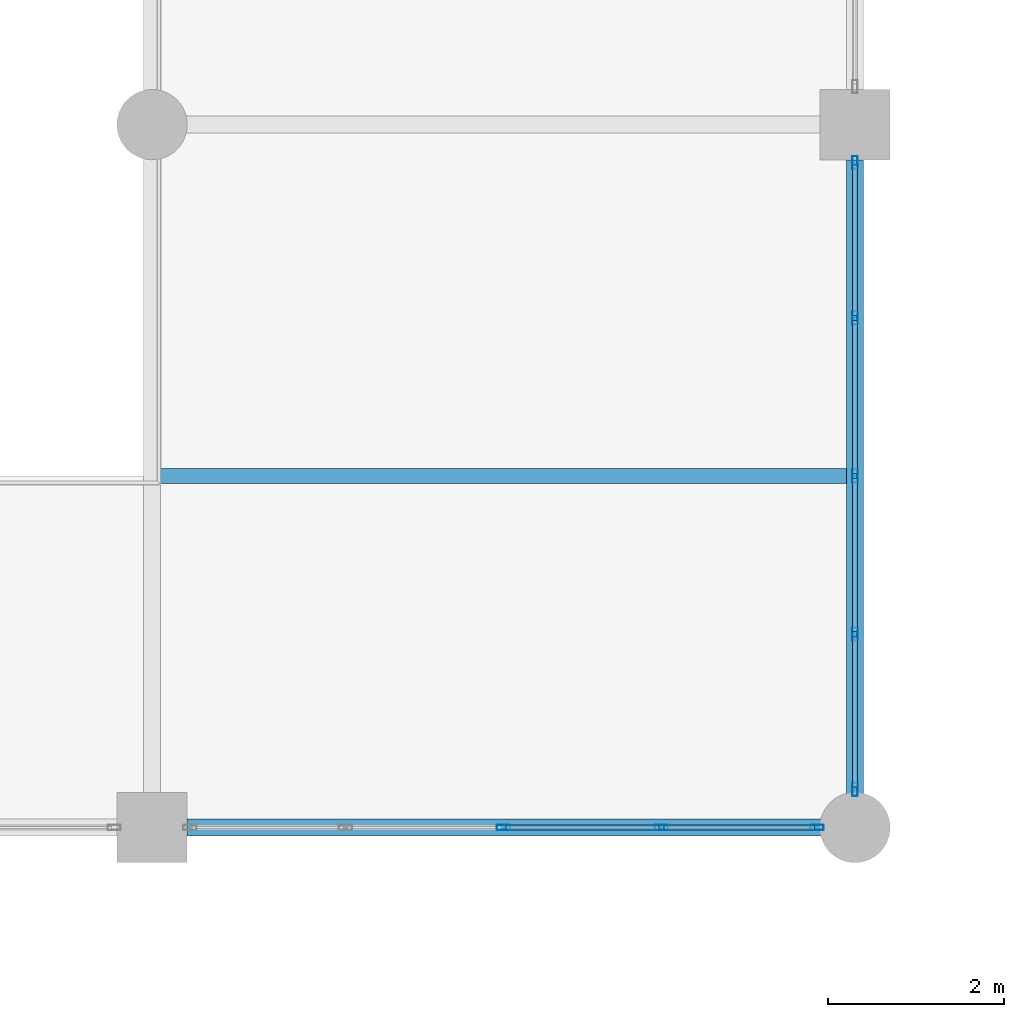
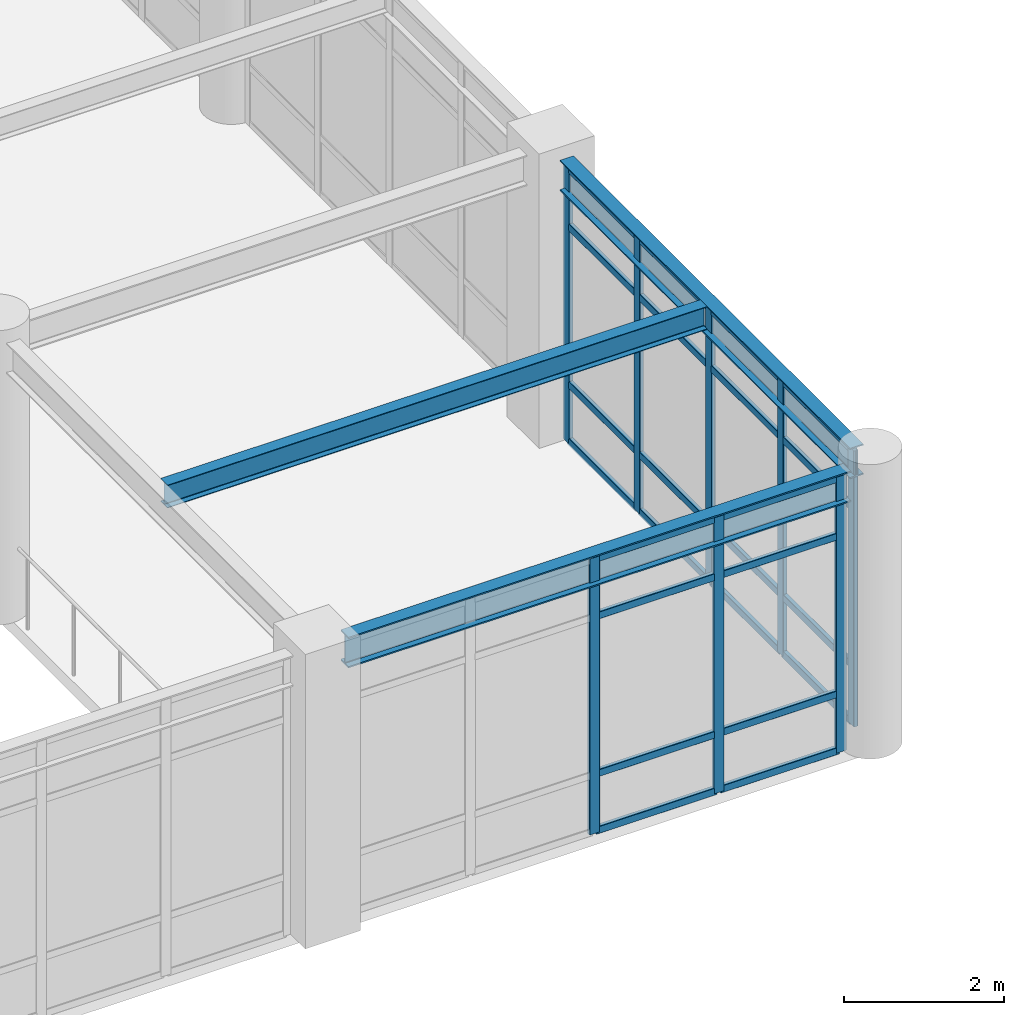
# One storey, part 32 of 78: 32 members, 3 beams, 2 elements without a shape of their own.
"""IFC4 building model written with IfcOpenShell, lengths in metres."""

import ifcopenshell
import ifcopenshell.guid

model = None  # the IFC model being written
_history = None  # IfcOwnerHistory: only IFC2X3 demands one
_inside = {}  # id of a spatial element -> (the spatial element, [elements in it])
_under = {}  # id of a project, library or spatial element -> (it, [spatial elements below it])
_declared = {}  # id of a project -> (the project, [libraries it declares])
_typed = {}  # id of a type object -> (the type object, [elements of that type])
_made_of = {}  # id of a material, layer set ... -> (it, [elements and type objects made of it])


def new_model(schema):
    """Start an empty IFC model of exactly this schema.

    Asked for "IFC4X3", IfcOpenShell would pick the latest addendum, in which some entities
    have other attributes; the version numbers below select the first issue.
    IFC2X3 requires an IfcOwnerHistory on every rooted entity: one is made here for all.
    """
    global model, _history
    if schema == "IFC4X3":
        model = ifcopenshell.file(schema_version=(4, 3, 0, 0))
    else:
        model = ifcopenshell.file(schema=schema)
    _inside.clear()
    _under.clear()
    _declared.clear()
    _typed.clear()
    _made_of.clear()
    _history = None
    if model.schema == "IFC2X3":
        org = make("IfcOrganization", Name="unknown")
        user = make(
            "IfcPersonAndOrganization",
            ThePerson=make("IfcPerson", FamilyName="unknown"),
            TheOrganization=org,
        )
        app = make(
            "IfcApplication",
            ApplicationDeveloper=org,
            Version="unknown",
            ApplicationFullName="unknown",
            ApplicationIdentifier="unknown",
        )
        _history = make(
            "IfcOwnerHistory",
            OwningUser=user,
            OwningApplication=app,
            ChangeAction="ADDED",
            CreationDate=0,
        )
    return model


def make(cls, **values):
    """One entity of the class cls with the attributes given. An attribute that is None is left unset."""
    return model.create_entity(
        cls, **{name: value for name, value in values.items() if value is not None}
    )


def rooted(cls, **values):
    """An entity with a GlobalId (a new one), such as an element, a storey or a relation."""
    return make(cls, GlobalId=ifcopenshell.guid.new(), OwnerHistory=_history, **values)


def si_unit(unit_type, name, prefix=None):
    """IfcSIUnit, for example si_unit("LENGTHUNIT", "METRE", prefix="MILLI")."""
    return make("IfcSIUnit", UnitType=unit_type, Prefix=prefix, Name=name)


def assignment(units):
    """IfcUnitAssignment: the units of a project."""
    return None if units is None else make("IfcUnitAssignment", Units=units)


def point(xyz):
    """IfcCartesianPoint."""
    return None if xyz is None else make("IfcCartesianPoint", Coordinates=xyz)


def direction(xyz):
    """IfcDirection."""
    return None if xyz is None else make("IfcDirection", DirectionRatios=xyz)


def frame(location, z_axis=None, x_axis=None):
    """IfcAxis2Placement3D, a coordinate frame: its origin and axes. An axis left out is left unset."""
    return make(
        "IfcAxis2Placement3D",
        Location=point(location),
        Axis=direction(z_axis),
        RefDirection=direction(x_axis),
    )


def frame_2d(location, x_axis=None):
    """IfcAxis2Placement2D, a coordinate frame in the plane: its origin and x axis."""
    return make(
        "IfcAxis2Placement2D", Location=point(location), RefDirection=direction(x_axis)
    )


def origin():
    """The frame at (0, 0, 0) with its axes left unset."""
    return frame((0.0, 0.0, 0.0))


def origin_2d():
    """The frame at (0, 0) in the plane with its x axis left unset."""
    return frame_2d((0.0, 0.0))


def place(relative_to, where):
    """IfcLocalPlacement: puts the frame where relative to a parent placement (None: the world)."""
    return make(
        "IfcLocalPlacement", PlacementRelTo=relative_to, RelativePlacement=where
    )


def context(
    kind, dimensions, precision=None, world=None, true_north=None, identifier=None
):
    """IfcGeometricRepresentationContext, for example the 3D "Model" context."""
    return make(
        "IfcGeometricRepresentationContext",
        ContextIdentifier=identifier,
        ContextType=kind,
        CoordinateSpaceDimension=dimensions,
        Precision=precision,
        WorldCoordinateSystem=world,
        TrueNorth=true_north,
    )


def subcontext(parent, identifier, kind, view, scale=None):
    """IfcGeometricRepresentationSubContext, for example "Body" below "Model"."""
    return make(
        "IfcGeometricRepresentationSubContext",
        ContextIdentifier=identifier,
        ContextType=kind,
        ParentContext=parent,
        TargetScale=scale,
        TargetView=view,
    )


def project(units=None, contexts=None):
    """IfcProject with its units and contexts."""
    return rooted(
        "IfcProject",
        Name="project",
        RepresentationContexts=contexts,
        UnitsInContext=assignment(units),
    )


def spatial(cls, under=None, at=None, **own):
    """A site, building, storey or space (cls), placed at a placement, below another one or the project."""
    s = rooted(cls, ObjectPlacement=at, **own)
    if under is not None:
        _under.setdefault(under.id(), (under, []))[1].append(s)
    return s


def profile(cls, at=None, kind="AREA", **sizes):
    """A parametric profile (cls). Its sizes go by their IFC names, for example OverallWidth=200.0."""
    return make(cls, ProfileType=kind, Position=at, **sizes)


def hollow_rectangle(**sizes):
    """IfcRectangleHollowProfileDef."""
    return profile("IfcRectangleHollowProfileDef", **sizes)


def i_section(**sizes):
    """IfcIShapeProfileDef."""
    return profile("IfcIShapeProfileDef", **sizes)


def extrude(swept, where, along, depth):
    """IfcExtrudedAreaSolid: the profile swept, set in the frame where, extruded along a direction by depth."""
    return make(
        "IfcExtrudedAreaSolid",
        SweptArea=swept,
        Position=where,
        ExtrudedDirection=direction(along),
        Depth=depth,
    )


def shape(context_of_items, identifier, shape_type, items):
    """IfcShapeRepresentation: the items that make up one representation, for example the "Body"."""
    return make(
        "IfcShapeRepresentation",
        ContextOfItems=context_of_items,
        RepresentationIdentifier=identifier,
        RepresentationType=shape_type,
        Items=items,
    )


def material(Name=None, Category=None):
    """IfcMaterial."""
    return make("IfcMaterial", Name=Name, Category=Category)


def material_profile(
    of_material, cross_section, Name=None, Category=None, Priority=None
):
    """IfcMaterialProfile: a cross section and its material."""
    return make(
        "IfcMaterialProfile",
        Name=Name,
        Material=of_material,
        Profile=cross_section,
        Priority=Priority,
        Category=Category,
    )


def profile_set(profiles, Name=None, composite=None):
    """IfcMaterialProfileSet."""
    return make(
        "IfcMaterialProfileSet",
        Name=Name,
        MaterialProfiles=profiles,
        CompositeProfile=composite,
    )


def made_of(thing, what):
    """Note that an element or type object is made of a material, layer set ...; save() writes the relation."""
    if what is not None:
        _made_of.setdefault(what.id(), (what, []))[1].append(thing)
    return thing


def type_object(cls, material=None, **own):
    """A type object (cls), such as IfcWallType, which elements share."""
    return made_of(rooted(cls, **own), material)


def element(
    cls,
    number,
    at=None,
    inside=None,
    cuts=None,
    type_object=None,
    material=None,
    context=None,
    identifier="Body",
    shape_type=None,
    held_by="IfcProductDefinitionShape",
    body=None,
    shapes=None,
    **own,
):
    """One element of the class cls, such as IfcWall. Its Tag is "e" and its number.

    at: its placement. inside: the storey or other place that contains it. cuts: it is an
    opening in that element (IfcRelVoidsElement). A single representation is given by context,
    identifier, shape_type and body (its items); several are given by shapes. held_by: the class
    of the entity that holds the representations. save() writes the other relations.
    """
    e = rooted(cls, Tag="e%d" % number, ObjectPlacement=at, **own)
    if body is not None:
        shapes = [shape(context, identifier, shape_type, body)]
    if shapes is not None:
        e.Representation = make(held_by, Representations=shapes)
    if inside is not None:
        _inside.setdefault(inside.id(), (inside, []))[1].append(e)
    if cuts is not None:
        rooted(
            "IfcRelVoidsElement", RelatingBuildingElement=cuts, RelatedOpeningElement=e
        )
    if type_object is not None:
        _typed.setdefault(type_object.id(), (type_object, []))[1].append(e)
    return made_of(e, material)


def aggregate(whole, parts):
    """IfcRelAggregates: a whole, such as a stair, and the parts it consists of."""
    return rooted("IfcRelAggregates", RelatingObject=whole, RelatedObjects=parts)


def save(model, path):
    """Write the relations noted so far, then the file.

    IfcRelAggregates (storeys below a building ...), IfcRelContainedInSpatialStructure (elements
    in a storey), IfcRelDefinesByType, IfcRelAssociatesMaterial and IfcRelDeclares: one each for
    every whole, place, type object, material and project.
    """
    for whole, parts in _under.values():
        aggregate(whole, parts)
    for where, things in _inside.values():
        rooted(
            "IfcRelContainedInSpatialStructure",
            RelatedElements=things,
            RelatingStructure=where,
        )
    for kind, things in _typed.values():
        rooted("IfcRelDefinesByType", RelatedObjects=things, RelatingType=kind)
    for what, things in _made_of.values():
        rooted("IfcRelAssociatesMaterial", RelatedObjects=things, RelatingMaterial=what)
    for by, libraries in _declared.values():
        rooted("IfcRelDeclares", RelatingContext=by, RelatedDefinitions=libraries)
    model.write(path)


model = new_model("IFC4")

# Units and contexts
model_context = context("Model", 3, precision=1e-05, world=origin(), true_north=direction((0.0, 1.0)))
body_context = subcontext(model_context, "Body", "Model", "MODEL_VIEW")
ifc_project = project(units=[si_unit("LENGTHUNIT", "METRE"), si_unit("AREAUNIT", "SQUARE_METRE"), si_unit("VOLUMEUNIT", "CUBIC_METRE"), si_unit("PLANEANGLEUNIT", "RADIAN"), si_unit("MASSUNIT", "GRAM", prefix="KILO")], contexts=[model_context])

# Site, building, storey
site_placement = place(None, origin())
site = spatial("IfcSite", under=ifc_project, at=site_placement, CompositionType="ELEMENT")
building_placement = place(site_placement, origin())
building = spatial("IfcBuilding", under=site, at=building_placement, Name="Solmirada Galleria", CompositionType="ELEMENT")
storey_placement = place(building_placement, frame((0.0, 0.0, 23.89990234375)))
storey = spatial("IfcBuildingStorey", under=building, at=storey_placement, Name="L05", CompositionType="ELEMENT", Elevation=23.89990234375)

# Beams
ifc_material_1 = material(Name="Steel S355 / ASTM A992 Grade 50", Category="steel")
ifc_material_profile_1 = material_profile(ifc_material_1, i_section(OverallWidth=0.194091796875, OverallDepth=0.468994140625, WebThickness=0.0126953125, FlangeThickness=0.0205078125, FilletRadius=0.013916015625, at=origin_2d()), Name="W18X71")
ifc_profile_set_1 = profile_set([ifc_material_profile_1], Name="Steel S355 / ASTM A992 Grade 50")
beam_type_1 = type_object("IfcBeamType", Name="BM-GIRD-W18B", PredefinedType="BEAM", material=ifc_profile_set_1)
beam_1_placement = place(storey_placement, frame((104.39990234375, 48.0, 4.065673828125), z_axis=(1.0, 0.0, 0.0), x_axis=(0.0, 1.0, 0.0)))
element("IfcBeam", 1, at=beam_1_placement, inside=storey, type_object=beam_type_1, Name="Primary beam L06 X(104..112, 48)", PredefinedType="BEAM", context=body_context, shape_type="SweptSolid", body=[
    extrude(i_section(OverallWidth=0.194091796875, OverallDepth=0.468994140625, WebThickness=0.0126953125, FlangeThickness=0.0205078125, FilletRadius=0.013916015625, at=origin_2d()), origin(), (0.0, 0.0, 1.0), 7.26416015625),
])
ifc_material_profile_2 = material_profile(ifc_material_1, i_section(OverallWidth=0.193115234375, OverallDepth=0.466064453125, WebThickness=0.011474609375, FlangeThickness=0.01904296875, FilletRadius=0.013916015625, at=origin_2d()), Name="W18X65")
ifc_profile_set_2 = profile_set([ifc_material_profile_2], Name="Steel S355 / ASTM A992 Grade 50")
beam_type_2 = type_object("IfcBeamType", Name="BM-GIRD-W18C", PredefinedType="BEAM", material=ifc_profile_set_2)
beam_2_placement = place(storey_placement, frame((112.0, 48.3359375, 4.067138671875), z_axis=(0.0, 1.0, 0.0), x_axis=(-1.0, 0.0, 0.0)))
element("IfcBeam", 2, at=beam_2_placement, inside=storey, type_object=beam_type_2, Name="Primary girder L06 Y(112, 48..56)", PredefinedType="BEAM", context=body_context, shape_type="SweptSolid", body=[
    extrude(i_section(OverallWidth=0.193115234375, OverallDepth=0.466064453125, WebThickness=0.011474609375, FlangeThickness=0.01904296875, FilletRadius=0.013916015625, at=origin_2d()), origin(), (0.0, 0.0, 1.0), 7.26416015625),
])
ifc_material_profile_3 = material_profile(ifc_material_1, i_section(OverallWidth=0.1708984375, OverallDepth=0.35205078125, WebThickness=0.0068359375, FlangeThickness=0.009765625, FilletRadius=0.010986328125, at=origin_2d()), Name="W14X30")
ifc_profile_set_3 = profile_set([ifc_material_profile_3], Name="Steel S355 / ASTM A992 Grade 50")
beam_type_3 = type_object("IfcBeamType", Name="BM-JST-W14B", PredefinedType="JOIST", material=ifc_profile_set_3)
beam_3_placement = place(storey_placement, frame((104.096435546875, 52.0, 4.1240234375), z_axis=(1.0, 0.0, 0.0), x_axis=(0.0, 1.0, 0.0)))
element("IfcBeam", 3, at=beam_3_placement, inside=storey, type_object=beam_type_3, Name="Composite floor joist L06 (104..112, 52.0)", PredefinedType="JOIST", context=body_context, shape_type="SweptSolid", body=[
    extrude(i_section(OverallWidth=0.1708984375, OverallDepth=0.35205078125, WebThickness=0.0068359375, FlangeThickness=0.009765625, FilletRadius=0.010986328125, at=origin_2d()), origin(), (0.0, 0.0, 1.0), 7.80712890625),
])

# Curtain wall, members
ifc_material_2 = material(Name="Impact-resistant low-E double glazing", Category="glass")
curtain_wall_type = type_object("IfcCurtainWallType", Name="CW-FZ3-L05-B4-L072", PredefinedType="NOTDEFINED", material=ifc_material_2)
curtain_wall_1_placement = place(storey_placement, origin())
curtain_wall_1 = element("IfcCurtainWall", 4, at=curtain_wall_1_placement, inside=storey, type_object=curtain_wall_type, Name="Terrace and arcade storefront CW-L05-178", PredefinedType="NOTDEFINED")
ifc_material_3 = material(Name="Anodised aluminium framing", Category="aluminium")
ifc_material_profile_4 = material_profile(ifc_material_3, hollow_rectangle(XDim=0.06005859375, YDim=0.14990234375, WallThickness=0.00341796875, InnerFilletRadius=0.00341796875, OuterFilletRadius=0.007080078125, at=origin_2d()), Name="ALU-MULL-150X60")
ifc_profile_set_4 = profile_set([ifc_material_profile_4], Name="Anodised aluminium framing")
member_type_1 = type_object("IfcMemberType", Name="CW-MULL-150", PredefinedType="MULLION", material=ifc_profile_set_4)
member_1_placement = place(storey_placement, frame((112.0, 55.568115234375, 0.0), z_axis=(0.0, 0.0, 1.0), x_axis=(1.0, 0.0, 0.0)))
member_1 = element("IfcMember", 5, at=member_1_placement, type_object=member_type_1, Name="CW33 mullion 1", PredefinedType="MULLION", context=body_context, shape_type="SweptSolid", body=[
    extrude(hollow_rectangle(XDim=0.06005859375, YDim=0.14990234375, WallThickness=0.00341796875, InnerFilletRadius=0.00341796875, OuterFilletRadius=0.007080078125, at=origin_2d()), origin(), (0.0, 0.0, 1.0), 4.22021484375),
])
member_2_placement = place(storey_placement, frame((112.0, 53.799072265625, 0.0), z_axis=(0.0, 0.0, 1.0), x_axis=(1.0, 0.0, 0.0)))
member_2 = element("IfcMember", 6, at=member_2_placement, type_object=member_type_1, Name="CW33 mullion 2", PredefinedType="MULLION", context=body_context, shape_type="SweptSolid", body=[
    extrude(hollow_rectangle(XDim=0.06005859375, YDim=0.14990234375, WallThickness=0.00341796875, InnerFilletRadius=0.00341796875, OuterFilletRadius=0.007080078125, at=origin_2d()), origin(), (0.0, 0.0, 1.0), 4.22021484375),
])
member_3_placement = place(storey_placement, frame((112.0, 52.0, 0.0), z_axis=(0.0, 0.0, 1.0), x_axis=(1.0, 0.0, 0.0)))
member_3 = element("IfcMember", 7, at=member_3_placement, type_object=member_type_1, Name="CW33 mullion 3", PredefinedType="MULLION", context=body_context, shape_type="SweptSolid", body=[
    extrude(hollow_rectangle(XDim=0.06005859375, YDim=0.14990234375, WallThickness=0.00341796875, InnerFilletRadius=0.00341796875, OuterFilletRadius=0.007080078125, at=origin_2d()), origin(), (0.0, 0.0, 1.0), 4.22021484375),
])
member_4_placement = place(storey_placement, frame((112.0, 50.200927734375, 0.0), z_axis=(0.0, 0.0, 1.0), x_axis=(1.0, 0.0, 0.0)))
member_4 = element("IfcMember", 8, at=member_4_placement, type_object=member_type_1, Name="CW33 mullion 4", PredefinedType="MULLION", context=body_context, shape_type="SweptSolid", body=[
    extrude(hollow_rectangle(XDim=0.06005859375, YDim=0.14990234375, WallThickness=0.00341796875, InnerFilletRadius=0.00341796875, OuterFilletRadius=0.007080078125, at=origin_2d()), origin(), (0.0, 0.0, 1.0), 4.22021484375),
])
member_5_placement = place(storey_placement, frame((112.0, 48.431884765625, 0.0), z_axis=(0.0, 0.0, 1.0), x_axis=(1.0, 0.0, 0.0)))
member_5 = element("IfcMember", 9, at=member_5_placement, type_object=member_type_1, Name="CW33 mullion 5", PredefinedType="MULLION", context=body_context, shape_type="SweptSolid", body=[
    extrude(hollow_rectangle(XDim=0.06005859375, YDim=0.14990234375, WallThickness=0.00341796875, InnerFilletRadius=0.00341796875, OuterFilletRadius=0.007080078125, at=origin_2d()), origin(), (0.0, 0.0, 1.0), 4.22021484375),
])

curtain_wall_2_placement = place(storey_placement, origin())
curtain_wall_2 = element("IfcCurtainWall", 10, at=curtain_wall_2_placement, inside=storey, type_object=curtain_wall_type, Name="Terrace and arcade storefront CW-L05-179", PredefinedType="NOTDEFINED")
member_6_placement = place(storey_placement, frame((111.568115234375, 48.0, 0.0), z_axis=(0.0, 0.0, 1.0), x_axis=(0.0, -1.0, 0.0)))
member_6 = element("IfcMember", 11, at=member_6_placement, type_object=member_type_1, Name="CW33 mullion 1", PredefinedType="MULLION", context=body_context, shape_type="SweptSolid", body=[
    extrude(hollow_rectangle(XDim=0.06005859375, YDim=0.14990234375, WallThickness=0.00341796875, InnerFilletRadius=0.00341796875, OuterFilletRadius=0.007080078125, at=origin_2d()), origin(), (0.0, 0.0, 1.0), 4.22021484375),
])
member_7_placement = place(storey_placement, frame((109.799072265625, 48.0, 0.0), z_axis=(0.0, 0.0, 1.0), x_axis=(0.0, -1.0, 0.0)))
member_7 = element("IfcMember", 12, at=member_7_placement, type_object=member_type_1, Name="CW33 mullion 2", PredefinedType="MULLION", context=body_context, shape_type="SweptSolid", body=[
    extrude(hollow_rectangle(XDim=0.06005859375, YDim=0.14990234375, WallThickness=0.00341796875, InnerFilletRadius=0.00341796875, OuterFilletRadius=0.007080078125, at=origin_2d()), origin(), (0.0, 0.0, 1.0), 4.22021484375),
])
member_8_placement = place(storey_placement, frame((108.0, 48.0, 0.0), z_axis=(0.0, 0.0, 1.0), x_axis=(0.0, -1.0, 0.0)))
member_8 = element("IfcMember", 13, at=member_8_placement, type_object=member_type_1, Name="CW33 mullion 3", PredefinedType="MULLION", context=body_context, shape_type="SweptSolid", body=[
    extrude(hollow_rectangle(XDim=0.06005859375, YDim=0.14990234375, WallThickness=0.00341796875, InnerFilletRadius=0.00341796875, OuterFilletRadius=0.007080078125, at=origin_2d()), origin(), (0.0, 0.0, 1.0), 4.22021484375),
])

# Member
ifc_material_profile_5 = material_profile(ifc_material_3, hollow_rectangle(XDim=0.06005859375, YDim=0.110107421875, WallThickness=0.003173828125, InnerFilletRadius=0.003173828125, OuterFilletRadius=0.00634765625, at=origin_2d()), Name="ALU-TRAN-110X60")
ifc_profile_set_5 = profile_set([ifc_material_profile_5], Name="Anodised aluminium framing")
member_type_2 = type_object("IfcMemberType", Name="CW-TRAN-110", PredefinedType="USERDEFINED", material=ifc_profile_set_5)
member_9_placement = place(storey_placement, frame((112.0, 55.5380859375, 0.030029296875), z_axis=(0.0, -1.0, 0.0), x_axis=(1.0, 0.0, 0.0)))
member_9 = element("IfcMember", 14, at=member_9_placement, type_object=member_type_2, Name="CW33 transom 1.1", ObjectType="TRANSOM", PredefinedType="USERDEFINED", context=body_context, shape_type="SweptSolid", body=[
    extrude(hollow_rectangle(XDim=0.06005859375, YDim=0.110107421875, WallThickness=0.003173828125, InnerFilletRadius=0.003173828125, OuterFilletRadius=0.00634765625, at=origin_2d()), origin(), (0.0, 0.0, 1.0), 1.708984375),
])

member_10_placement = place(storey_placement, frame((112.0, 55.5380859375, 0.900146484375), z_axis=(0.0, -1.0, 0.0), x_axis=(1.0, 0.0, 0.0)))
member_10 = element("IfcMember", 15, at=member_10_placement, type_object=member_type_2, Name="CW33 transom 1.2", ObjectType="TRANSOM", PredefinedType="USERDEFINED", context=body_context, shape_type="SweptSolid", body=[
    extrude(hollow_rectangle(XDim=0.06005859375, YDim=0.110107421875, WallThickness=0.003173828125, InnerFilletRadius=0.003173828125, OuterFilletRadius=0.00634765625, at=origin_2d()), origin(), (0.0, 0.0, 1.0), 1.708984375),
])

member_11_placement = place(storey_placement, frame((112.0, 55.5380859375, 3.31005859375), z_axis=(0.0, -1.0, 0.0), x_axis=(1.0, 0.0, 0.0)))
member_11 = element("IfcMember", 16, at=member_11_placement, type_object=member_type_2, Name="CW33 transom 1.3", ObjectType="TRANSOM", PredefinedType="USERDEFINED", context=body_context, shape_type="SweptSolid", body=[
    extrude(hollow_rectangle(XDim=0.06005859375, YDim=0.110107421875, WallThickness=0.003173828125, InnerFilletRadius=0.003173828125, OuterFilletRadius=0.00634765625, at=origin_2d()), origin(), (0.0, 0.0, 1.0), 1.708984375),
])

member_12_placement = place(storey_placement, frame((112.0, 55.5380859375, 4.190185546875), z_axis=(0.0, -1.0, 0.0), x_axis=(1.0, 0.0, 0.0)))
member_12 = element("IfcMember", 17, at=member_12_placement, type_object=member_type_2, Name="CW33 transom 1.4", ObjectType="TRANSOM", PredefinedType="USERDEFINED", context=body_context, shape_type="SweptSolid", body=[
    extrude(hollow_rectangle(XDim=0.06005859375, YDim=0.110107421875, WallThickness=0.003173828125, InnerFilletRadius=0.003173828125, OuterFilletRadius=0.00634765625, at=origin_2d()), origin(), (0.0, 0.0, 1.0), 1.708984375),
])

member_13_placement = place(storey_placement, frame((112.0, 53.76904296875, 0.030029296875), z_axis=(0.0, -1.0, 0.0), x_axis=(1.0, 0.0, 0.0)))
member_13 = element("IfcMember", 18, at=member_13_placement, type_object=member_type_2, Name="CW33 transom 2.1", ObjectType="TRANSOM", PredefinedType="USERDEFINED", context=body_context, shape_type="SweptSolid", body=[
    extrude(hollow_rectangle(XDim=0.06005859375, YDim=0.110107421875, WallThickness=0.003173828125, InnerFilletRadius=0.003173828125, OuterFilletRadius=0.00634765625, at=origin_2d()), origin(), (0.0, 0.0, 1.0), 1.739013671875),
])

member_14_placement = place(storey_placement, frame((112.0, 53.76904296875, 0.900146484375), z_axis=(0.0, -1.0, 0.0), x_axis=(1.0, 0.0, 0.0)))
member_14 = element("IfcMember", 19, at=member_14_placement, type_object=member_type_2, Name="CW33 transom 2.2", ObjectType="TRANSOM", PredefinedType="USERDEFINED", context=body_context, shape_type="SweptSolid", body=[
    extrude(hollow_rectangle(XDim=0.06005859375, YDim=0.110107421875, WallThickness=0.003173828125, InnerFilletRadius=0.003173828125, OuterFilletRadius=0.00634765625, at=origin_2d()), origin(), (0.0, 0.0, 1.0), 1.739013671875),
])

member_15_placement = place(storey_placement, frame((112.0, 53.76904296875, 3.31005859375), z_axis=(0.0, -1.0, 0.0), x_axis=(1.0, 0.0, 0.0)))
member_15 = element("IfcMember", 20, at=member_15_placement, type_object=member_type_2, Name="CW33 transom 2.3", ObjectType="TRANSOM", PredefinedType="USERDEFINED", context=body_context, shape_type="SweptSolid", body=[
    extrude(hollow_rectangle(XDim=0.06005859375, YDim=0.110107421875, WallThickness=0.003173828125, InnerFilletRadius=0.003173828125, OuterFilletRadius=0.00634765625, at=origin_2d()), origin(), (0.0, 0.0, 1.0), 1.739013671875),
])

member_16_placement = place(storey_placement, frame((112.0, 53.76904296875, 4.190185546875), z_axis=(0.0, -1.0, 0.0), x_axis=(1.0, 0.0, 0.0)))
member_16 = element("IfcMember", 21, at=member_16_placement, type_object=member_type_2, Name="CW33 transom 2.4", ObjectType="TRANSOM", PredefinedType="USERDEFINED", context=body_context, shape_type="SweptSolid", body=[
    extrude(hollow_rectangle(XDim=0.06005859375, YDim=0.110107421875, WallThickness=0.003173828125, InnerFilletRadius=0.003173828125, OuterFilletRadius=0.00634765625, at=origin_2d()), origin(), (0.0, 0.0, 1.0), 1.739013671875),
])

member_17_placement = place(storey_placement, frame((112.0, 51.969970703125, 0.030029296875), z_axis=(0.0, -1.0, 0.0), x_axis=(1.0, 0.0, 0.0)))
member_17 = element("IfcMember", 22, at=member_17_placement, type_object=member_type_2, Name="CW33 transom 3.1", ObjectType="TRANSOM", PredefinedType="USERDEFINED", context=body_context, shape_type="SweptSolid", body=[
    extrude(hollow_rectangle(XDim=0.06005859375, YDim=0.110107421875, WallThickness=0.003173828125, InnerFilletRadius=0.003173828125, OuterFilletRadius=0.00634765625, at=origin_2d()), origin(), (0.0, 0.0, 1.0), 1.739013671875),
])

member_18_placement = place(storey_placement, frame((112.0, 51.969970703125, 0.900146484375), z_axis=(0.0, -1.0, 0.0), x_axis=(1.0, 0.0, 0.0)))
member_18 = element("IfcMember", 23, at=member_18_placement, type_object=member_type_2, Name="CW33 transom 3.2", ObjectType="TRANSOM", PredefinedType="USERDEFINED", context=body_context, shape_type="SweptSolid", body=[
    extrude(hollow_rectangle(XDim=0.06005859375, YDim=0.110107421875, WallThickness=0.003173828125, InnerFilletRadius=0.003173828125, OuterFilletRadius=0.00634765625, at=origin_2d()), origin(), (0.0, 0.0, 1.0), 1.739013671875),
])

member_19_placement = place(storey_placement, frame((112.0, 51.969970703125, 3.31005859375), z_axis=(0.0, -1.0, 0.0), x_axis=(1.0, 0.0, 0.0)))
member_19 = element("IfcMember", 24, at=member_19_placement, type_object=member_type_2, Name="CW33 transom 3.3", ObjectType="TRANSOM", PredefinedType="USERDEFINED", context=body_context, shape_type="SweptSolid", body=[
    extrude(hollow_rectangle(XDim=0.06005859375, YDim=0.110107421875, WallThickness=0.003173828125, InnerFilletRadius=0.003173828125, OuterFilletRadius=0.00634765625, at=origin_2d()), origin(), (0.0, 0.0, 1.0), 1.739013671875),
])

member_20_placement = place(storey_placement, frame((112.0, 51.969970703125, 4.190185546875), z_axis=(0.0, -1.0, 0.0), x_axis=(1.0, 0.0, 0.0)))
member_20 = element("IfcMember", 25, at=member_20_placement, type_object=member_type_2, Name="CW33 transom 3.4", ObjectType="TRANSOM", PredefinedType="USERDEFINED", context=body_context, shape_type="SweptSolid", body=[
    extrude(hollow_rectangle(XDim=0.06005859375, YDim=0.110107421875, WallThickness=0.003173828125, InnerFilletRadius=0.003173828125, OuterFilletRadius=0.00634765625, at=origin_2d()), origin(), (0.0, 0.0, 1.0), 1.739013671875),
])

member_21_placement = place(storey_placement, frame((112.0, 50.1708984375, 0.030029296875), z_axis=(0.0, -1.0, 0.0), x_axis=(1.0, 0.0, 0.0)))
member_21 = element("IfcMember", 26, at=member_21_placement, type_object=member_type_2, Name="CW33 transom 4.1", ObjectType="TRANSOM", PredefinedType="USERDEFINED", context=body_context, shape_type="SweptSolid", body=[
    extrude(hollow_rectangle(XDim=0.06005859375, YDim=0.110107421875, WallThickness=0.003173828125, InnerFilletRadius=0.003173828125, OuterFilletRadius=0.00634765625, at=origin_2d()), origin(), (0.0, 0.0, 1.0), 1.708984375),
])

member_22_placement = place(storey_placement, frame((112.0, 50.1708984375, 0.900146484375), z_axis=(0.0, -1.0, 0.0), x_axis=(1.0, 0.0, 0.0)))
member_22 = element("IfcMember", 27, at=member_22_placement, type_object=member_type_2, Name="CW33 transom 4.2", ObjectType="TRANSOM", PredefinedType="USERDEFINED", context=body_context, shape_type="SweptSolid", body=[
    extrude(hollow_rectangle(XDim=0.06005859375, YDim=0.110107421875, WallThickness=0.003173828125, InnerFilletRadius=0.003173828125, OuterFilletRadius=0.00634765625, at=origin_2d()), origin(), (0.0, 0.0, 1.0), 1.708984375),
])

member_23_placement = place(storey_placement, frame((112.0, 50.1708984375, 3.31005859375), z_axis=(0.0, -1.0, 0.0), x_axis=(1.0, 0.0, 0.0)))
member_23 = element("IfcMember", 28, at=member_23_placement, type_object=member_type_2, Name="CW33 transom 4.3", ObjectType="TRANSOM", PredefinedType="USERDEFINED", context=body_context, shape_type="SweptSolid", body=[
    extrude(hollow_rectangle(XDim=0.06005859375, YDim=0.110107421875, WallThickness=0.003173828125, InnerFilletRadius=0.003173828125, OuterFilletRadius=0.00634765625, at=origin_2d()), origin(), (0.0, 0.0, 1.0), 1.708984375),
])

member_24_placement = place(storey_placement, frame((112.0, 50.1708984375, 4.190185546875), z_axis=(0.0, -1.0, 0.0), x_axis=(1.0, 0.0, 0.0)))
member_24 = element("IfcMember", 29, at=member_24_placement, type_object=member_type_2, Name="CW33 transom 4.4", ObjectType="TRANSOM", PredefinedType="USERDEFINED", context=body_context, shape_type="SweptSolid", body=[
    extrude(hollow_rectangle(XDim=0.06005859375, YDim=0.110107421875, WallThickness=0.003173828125, InnerFilletRadius=0.003173828125, OuterFilletRadius=0.00634765625, at=origin_2d()), origin(), (0.0, 0.0, 1.0), 1.708984375),
])

aggregate(curtain_wall_1, [member_1, member_2, member_3, member_4, member_5, member_9, member_10, member_11, member_12, member_13, member_14, member_15, member_16, member_17, member_18, member_19, member_20, member_21, member_22, member_23, member_24])

member_25_placement = place(storey_placement, frame((111.5380859375, 48.0, 0.030029296875), z_axis=(-1.0, 0.0, 0.0), x_axis=(0.0, -1.0, 0.0)))
member_25 = element("IfcMember", 30, at=member_25_placement, type_object=member_type_2, Name="CW33 transom 1.1", ObjectType="TRANSOM", PredefinedType="USERDEFINED", context=body_context, shape_type="SweptSolid", body=[
    extrude(hollow_rectangle(XDim=0.06005859375, YDim=0.110107421875, WallThickness=0.003173828125, InnerFilletRadius=0.003173828125, OuterFilletRadius=0.00634765625, at=origin_2d()), origin(), (0.0, 0.0, 1.0), 1.708984375),
])

member_26_placement = place(storey_placement, frame((111.5380859375, 48.0, 0.900146484375), z_axis=(-1.0, 0.0, 0.0), x_axis=(0.0, -1.0, 0.0)))
member_26 = element("IfcMember", 31, at=member_26_placement, type_object=member_type_2, Name="CW33 transom 1.2", ObjectType="TRANSOM", PredefinedType="USERDEFINED", context=body_context, shape_type="SweptSolid", body=[
    extrude(hollow_rectangle(XDim=0.06005859375, YDim=0.110107421875, WallThickness=0.003173828125, InnerFilletRadius=0.003173828125, OuterFilletRadius=0.00634765625, at=origin_2d()), origin(), (0.0, 0.0, 1.0), 1.708984375),
])

member_27_placement = place(storey_placement, frame((111.5380859375, 48.0, 3.31005859375), z_axis=(-1.0, 0.0, 0.0), x_axis=(0.0, -1.0, 0.0)))
member_27 = element("IfcMember", 32, at=member_27_placement, type_object=member_type_2, Name="CW33 transom 1.3", ObjectType="TRANSOM", PredefinedType="USERDEFINED", context=body_context, shape_type="SweptSolid", body=[
    extrude(hollow_rectangle(XDim=0.06005859375, YDim=0.110107421875, WallThickness=0.003173828125, InnerFilletRadius=0.003173828125, OuterFilletRadius=0.00634765625, at=origin_2d()), origin(), (0.0, 0.0, 1.0), 1.708984375),
])

member_28_placement = place(storey_placement, frame((111.5380859375, 48.0, 4.190185546875), z_axis=(-1.0, 0.0, 0.0), x_axis=(0.0, -1.0, 0.0)))
member_28 = element("IfcMember", 33, at=member_28_placement, type_object=member_type_2, Name="CW33 transom 1.4", ObjectType="TRANSOM", PredefinedType="USERDEFINED", context=body_context, shape_type="SweptSolid", body=[
    extrude(hollow_rectangle(XDim=0.06005859375, YDim=0.110107421875, WallThickness=0.003173828125, InnerFilletRadius=0.003173828125, OuterFilletRadius=0.00634765625, at=origin_2d()), origin(), (0.0, 0.0, 1.0), 1.708984375),
])

member_29_placement = place(storey_placement, frame((109.76904296875, 48.0, 0.030029296875), z_axis=(-1.0, 0.0, 0.0), x_axis=(0.0, -1.0, 0.0)))
member_29 = element("IfcMember", 34, at=member_29_placement, type_object=member_type_2, Name="CW33 transom 2.1", ObjectType="TRANSOM", PredefinedType="USERDEFINED", context=body_context, shape_type="SweptSolid", body=[
    extrude(hollow_rectangle(XDim=0.06005859375, YDim=0.110107421875, WallThickness=0.003173828125, InnerFilletRadius=0.003173828125, OuterFilletRadius=0.00634765625, at=origin_2d()), origin(), (0.0, 0.0, 1.0), 1.739013671875),
])

member_30_placement = place(storey_placement, frame((109.76904296875, 48.0, 0.900146484375), z_axis=(-1.0, 0.0, 0.0), x_axis=(0.0, -1.0, 0.0)))
member_30 = element("IfcMember", 35, at=member_30_placement, type_object=member_type_2, Name="CW33 transom 2.2", ObjectType="TRANSOM", PredefinedType="USERDEFINED", context=body_context, shape_type="SweptSolid", body=[
    extrude(hollow_rectangle(XDim=0.06005859375, YDim=0.110107421875, WallThickness=0.003173828125, InnerFilletRadius=0.003173828125, OuterFilletRadius=0.00634765625, at=origin_2d()), origin(), (0.0, 0.0, 1.0), 1.739013671875),
])

member_31_placement = place(storey_placement, frame((109.76904296875, 48.0, 3.31005859375), z_axis=(-1.0, 0.0, 0.0), x_axis=(0.0, -1.0, 0.0)))
member_31 = element("IfcMember", 36, at=member_31_placement, type_object=member_type_2, Name="CW33 transom 2.3", ObjectType="TRANSOM", PredefinedType="USERDEFINED", context=body_context, shape_type="SweptSolid", body=[
    extrude(hollow_rectangle(XDim=0.06005859375, YDim=0.110107421875, WallThickness=0.003173828125, InnerFilletRadius=0.003173828125, OuterFilletRadius=0.00634765625, at=origin_2d()), origin(), (0.0, 0.0, 1.0), 1.739013671875),
])

member_32_placement = place(storey_placement, frame((109.76904296875, 48.0, 4.190185546875), z_axis=(-1.0, 0.0, 0.0), x_axis=(0.0, -1.0, 0.0)))
member_32 = element("IfcMember", 37, at=member_32_placement, type_object=member_type_2, Name="CW33 transom 2.4", ObjectType="TRANSOM", PredefinedType="USERDEFINED", context=body_context, shape_type="SweptSolid", body=[
    extrude(hollow_rectangle(XDim=0.06005859375, YDim=0.110107421875, WallThickness=0.003173828125, InnerFilletRadius=0.003173828125, OuterFilletRadius=0.00634765625, at=origin_2d()), origin(), (0.0, 0.0, 1.0), 1.739013671875),
])

aggregate(curtain_wall_2, [member_6, member_7, member_8, member_25, member_26, member_27, member_28, member_29, member_30, member_31, member_32])

save(model, "model.ifc")
